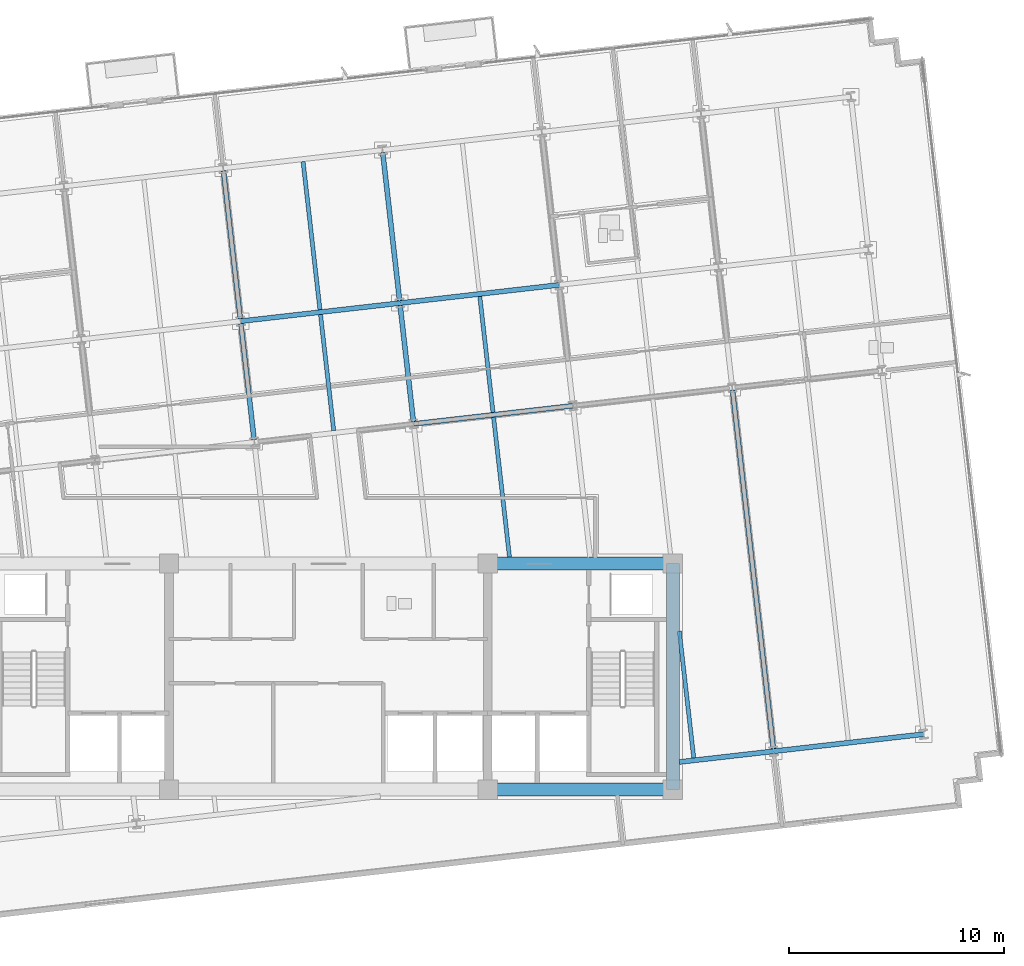
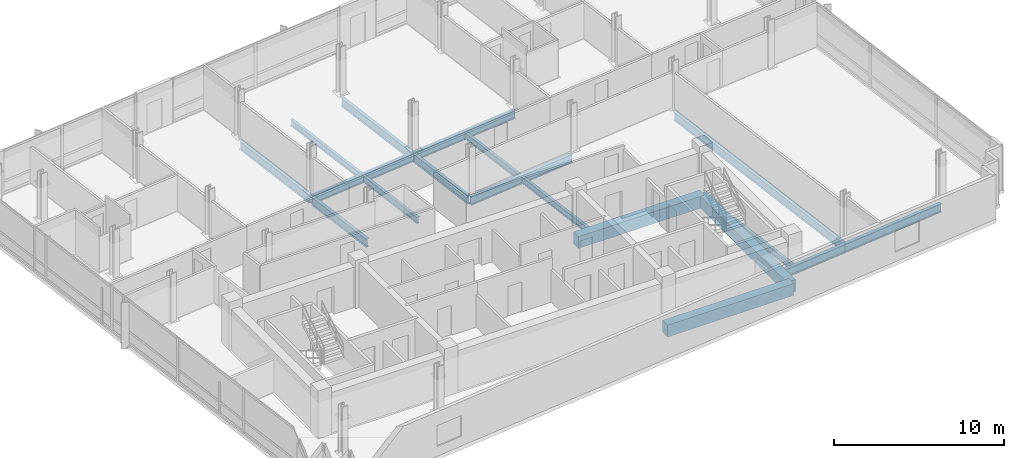
# One storey, part 3 of 15: 18 beams.
"""IFC4 building model written with IfcOpenShell, lengths in metres."""

from ifc_helpers import new_model, si_unit, direction, frame, origin, origin_2d, place, context, subcontext, project, spatial, rectangle, i_section, extrude, material, material_profile, profile_set, type_object, element, save


model = new_model("IFC4")

# Units and contexts
model_context = context("Model", 3, precision=1e-05, world=origin(), true_north=direction((0.0, 1.0)))
body_context = subcontext(model_context, "Body", "Model", "MODEL_VIEW")
ifc_project = project(units=[si_unit("LENGTHUNIT", "METRE"), si_unit("AREAUNIT", "SQUARE_METRE"), si_unit("VOLUMEUNIT", "CUBIC_METRE"), si_unit("PLANEANGLEUNIT", "RADIAN"), si_unit("MASSUNIT", "GRAM", prefix="KILO")], contexts=[model_context])

# Site, building, storey
site_placement = place(None, origin())
site = spatial("IfcSite", under=ifc_project, at=site_placement, CompositionType="ELEMENT")
building_placement = place(site_placement, origin())
building = spatial("IfcBuilding", under=site, at=building_placement, Name="Solmavex Isthmus Hotel", CompositionType="ELEMENT")
storey_placement = place(building_placement, frame((0.0, 0.0, 229.64990234375)))
storey = spatial("IfcBuildingStorey", under=building, at=storey_placement, Name="L62", CompositionType="ELEMENT", Elevation=229.64990234375)

# Beams
ifc_material_1 = material(Name="Steel ASTM A992 Grade 50", Category="steel")
ifc_material_profile_1 = material_profile(ifc_material_1, i_section(OverallWidth=0.1904296875, OverallDepth=0.456787109375, WebThickness=0.009033203125, FlangeThickness=0.014404296875, FilletRadius=0.0126953125, at=origin_2d()), Name="W18X50")
ifc_profile_set_1 = profile_set([ifc_material_profile_1], Name="Steel ASTM A992 Grade 50")
beam_type_1 = type_object("IfcBeamType", Name="BM-BJ-W18X50", PredefinedType="JOIST", material=ifc_profile_set_1)
beam_1_placement = place(storey_placement, frame((0.250244140625, 3.67822265625, -0.48828125), z_axis=(-0.113194691868, 0.993572826587, 0.0), x_axis=(-0.993572826587, -0.113194691868, 0.0)))
element("IfcBeam", 1, at=beam_1_placement, inside=storey, type_object=beam_type_1, Name="Secondary Floor Joist L62-J10", PredefinedType="JOIST", context=body_context, shape_type="SweptSolid", body=[
    extrude(i_section(OverallWidth=0.1904296875, OverallDepth=0.456787109375, WebThickness=0.009033203125, FlangeThickness=0.014404296875, FilletRadius=0.0126953125, at=origin_2d()), origin(), (0.0, 0.0, 1.0), 5.420166015625),
])
beam_2_placement = place(storey_placement, frame((-0.38916015625, 9.289794921875, -0.48828125), z_axis=(-0.113202453846, 0.993571942258, 0.0), x_axis=(-0.993571942258, -0.113202453846, 0.0)))
element("IfcBeam", 2, at=beam_2_placement, inside=storey, type_object=beam_type_1, Name="Secondary Floor Joist L62-J11", PredefinedType="JOIST", context=body_context, shape_type="SweptSolid", body=[
    extrude(i_section(OverallWidth=0.1904296875, OverallDepth=0.456787109375, WebThickness=0.009033203125, FlangeThickness=0.014404296875, FilletRadius=0.0126953125, at=origin_2d()), origin(), (0.0, 0.0, 1.0), 6.9228515625),
])
beam_3_placement = place(storey_placement, frame((8.414306640625, -2.199951171875, -0.48828125), z_axis=(-0.113206345873, 0.993571498813, 0.0), x_axis=(-0.993571498813, -0.113206345873, 0.0)))
element("IfcBeam", 3, at=beam_3_placement, inside=storey, type_object=beam_type_1, Name="Secondary Floor Joist L62-J12", PredefinedType="JOIST", context=body_context, shape_type="SweptSolid", body=[
    extrude(i_section(OverallWidth=0.1904296875, OverallDepth=0.456787109375, WebThickness=0.009033203125, FlangeThickness=0.014404296875, FilletRadius=0.0126953125, at=origin_2d()), origin(), (0.0, 0.0, 1.0), 6.53662109375),
])
beam_4_placement = place(storey_placement, frame((7.6484375, 4.521240234375, -0.48828125), z_axis=(-0.113194691868, 0.993572826587, 0.0), x_axis=(-0.993572826587, -0.113194691868, 0.0)))
element("IfcBeam", 4, at=beam_4_placement, inside=storey, type_object=beam_type_1, Name="Secondary Floor Joist L62-J13", PredefinedType="JOIST", context=body_context, shape_type="SweptSolid", body=[
    extrude(i_section(OverallWidth=0.1904296875, OverallDepth=0.456787109375, WebThickness=0.009033203125, FlangeThickness=0.014404296875, FilletRadius=0.0126953125, at=origin_2d()), origin(), (0.0, 0.0, 1.0), 5.420166015625),
])
beam_5_placement = place(storey_placement, frame((16.970947265625, -11.525390625, -0.48828125), z_axis=(-0.113202687678, 0.993571915617, 0.0), x_axis=(-0.993571915617, -0.113202687678, 0.0)))
element("IfcBeam", 5, at=beam_5_placement, inside=storey, type_object=beam_type_1, Name="Secondary Floor Joist L62-J15", PredefinedType="JOIST", context=body_context, shape_type="SweptSolid", body=[
    extrude(i_section(OverallWidth=0.1904296875, OverallDepth=0.456787109375, WebThickness=0.009033203125, FlangeThickness=0.014404296875, FilletRadius=0.0126953125, at=origin_2d()), origin(), (0.0, 0.0, 1.0), 5.926513671875),
])
ifc_material_profile_2 = material_profile(ifc_material_1, i_section(OverallWidth=0.227783203125, OverallDepth=0.602783203125, WebThickness=0.010498046875, FlangeThickness=0.014892578125, FilletRadius=0.01513671875, at=origin_2d()), Name="W24X68")
ifc_profile_set_2 = profile_set([ifc_material_profile_2], Name="Steel ASTM A992 Grade 50")
beam_type_2 = type_object("IfcBeamType", Name="BM-BM-W24X68", PredefinedType="BEAM", material=ifc_profile_set_2)
for number, where, z_axis, x_axis, name in (
    (6, (3.962158203125, 3.986572265625, -0.561279296875), (0.993574034044, 0.113184092846, 0.0), (-0.113184092846, 0.993574034044, 0.0), "Floor Girder L62-UG09"),
    (7, (-4.0751953125, 8.75537109375, -0.561279296875), (0.993574034044, 0.113184092846, 0.0), (-0.113184092846, 0.993574034044, 0.0), "Floor Girder L62-UG14"),
):
    element("IfcBeam", number, at=place(storey_placement, frame(where, z_axis=z_axis, x_axis=x_axis)), inside=storey, type_object=beam_type_2, Name=name, PredefinedType="BEAM", context=body_context, shape_type="SweptSolid", body=[
        extrude(i_section(OverallWidth=0.227783203125, OverallDepth=0.602783203125, WebThickness=0.010498046875, FlangeThickness=0.014892578125, FilletRadius=0.01513671875, at=origin_2d()), origin(), (0.0, 0.0, 1.0), 7.446044921875),
    ])
beam_6_placement = place(storey_placement, frame((3.322998046875, 9.59814453125, -0.561279296875), z_axis=(0.993569926006, 0.113220148984, 0.0), x_axis=(-0.113220148984, 0.993569926006, 0.0)))
element("IfcBeam", 8, at=beam_6_placement, inside=storey, type_object=beam_type_2, Name="Floor Girder L62-UG15", PredefinedType="BEAM", context=body_context, shape_type="SweptSolid", body=[
    extrude(i_section(OverallWidth=0.227783203125, OverallDepth=0.602783203125, WebThickness=0.010498046875, FlangeThickness=0.014892578125, FilletRadius=0.01513671875, at=origin_2d()), origin(), (0.0, 0.0, 1.0), 7.44580078125),
])
beam_7_placement = place(storey_placement, frame((-3.44873046875, 3.2568359375, -0.561279296875), z_axis=(-0.113194691868, 0.993572826587, 0.0), x_axis=(-0.993572826587, -0.113194691868, 0.0)))
element("IfcBeam", 9, at=beam_7_placement, inside=storey, type_object=beam_type_2, Name="Floor Beam L62-VG32", PredefinedType="BEAM", context=body_context, shape_type="SweptSolid", body=[
    extrude(i_section(OverallWidth=0.227783203125, OverallDepth=0.602783203125, WebThickness=0.010498046875, FlangeThickness=0.014892578125, FilletRadius=0.01513671875, at=origin_2d()), origin(), (0.0, 0.0, 1.0), 5.420166015625),
])
beam_8_placement = place(storey_placement, frame((-4.088134765625, 8.868408203125, -0.561279296875), z_axis=(-0.113202453846, 0.993571942258, 0.0), x_axis=(-0.993571942258, -0.113202453846, 0.0)))
element("IfcBeam", 10, at=beam_8_placement, inside=storey, type_object=beam_type_2, Name="Floor Beam L62-VG33", PredefinedType="BEAM", context=body_context, shape_type="SweptSolid", body=[
    extrude(i_section(OverallWidth=0.227783203125, OverallDepth=0.602783203125, WebThickness=0.010498046875, FlangeThickness=0.014892578125, FilletRadius=0.01513671875, at=origin_2d()), origin(), (0.0, 0.0, 1.0), 6.9228515625),
])
beam_9_placement = place(storey_placement, frame((3.949462890625, 4.099609375, -0.561279296875), z_axis=(-0.113234090386, 0.993568337244, 0.0), x_axis=(-0.993568337244, -0.113234090386, 0.0)))
element("IfcBeam", 11, at=beam_9_placement, inside=storey, type_object=beam_type_2, Name="Floor Beam L62-VG35", PredefinedType="BEAM", context=body_context, shape_type="SweptSolid", body=[
    extrude(i_section(OverallWidth=0.227783203125, OverallDepth=0.602783203125, WebThickness=0.010498046875, FlangeThickness=0.014892578125, FilletRadius=0.01513671875, at=origin_2d()), origin(), (0.0, 0.0, 1.0), 5.42041015625),
])
beam_10_placement = place(storey_placement, frame((3.31005859375, 9.71142578125, -0.561279296875), z_axis=(-0.113202453846, 0.993571942258, 0.0), x_axis=(-0.993571942258, -0.113202453846, 0.0)))
element("IfcBeam", 12, at=beam_10_placement, inside=storey, type_object=beam_type_2, Name="Floor Beam L62-VG36", PredefinedType="BEAM", context=body_context, shape_type="SweptSolid", body=[
    extrude(i_section(OverallWidth=0.227783203125, OverallDepth=0.602783203125, WebThickness=0.010498046875, FlangeThickness=0.014892578125, FilletRadius=0.01513671875, at=origin_2d()), origin(), (0.0, 0.0, 1.0), 6.9228515625),
])
beam_11_placement = place(storey_placement, frame((20.669921875, -11.10400390625, -0.561279296875), z_axis=(-0.113198426291, 0.993572401129, 0.0), x_axis=(-0.993572401129, -0.113198426291, 0.0)))
element("IfcBeam", 13, at=beam_11_placement, inside=storey, type_object=beam_type_2, Name="Floor Beam L62-VG40", PredefinedType="BEAM", context=body_context, shape_type="SweptSolid", body=[
    extrude(i_section(OverallWidth=0.227783203125, OverallDepth=0.602783203125, WebThickness=0.010498046875, FlangeThickness=0.014892578125, FilletRadius=0.01513671875, at=origin_2d()), origin(), (0.0, 0.0, 1.0), 16.77099609375),
])
ifc_material_2 = material(Name="Concrete C50/60", Category="concrete")
ifc_material_profile_3 = material_profile(ifc_material_2, rectangle(XDim=0.60009765625, YDim=0.85009765625, at=origin_2d()), Name="RC600X850")
ifc_profile_set_3 = profile_set([ifc_material_profile_3], Name="Concrete C50/60")
beam_type_3 = type_object("IfcBeamType", Name="BM-CB-600X850", PredefinedType="BEAM", material=ifc_profile_set_3)
for number, where, z_axis, x_axis, name in (
    (14, (7.39990234375, -13.0, -0.684814453125), (1.0, 0.0, 0.0), (0.0, 1.0, 0.0), "Core Coupling Beam L62-CB3"),
    (15, (7.39990234375, -2.5, -0.684814453125), (1.0, 0.0, 0.0), (0.0, 1.0, 0.0), "Core Coupling Beam L62-CB6"),
):
    element("IfcBeam", number, at=place(storey_placement, frame(where, z_axis=z_axis, x_axis=x_axis)), inside=storey, type_object=beam_type_3, Name=name, PredefinedType="BEAM", context=body_context, shape_type="SweptSolid", body=[
        extrude(rectangle(XDim=0.60009765625, YDim=0.85009765625, at=origin_2d()), origin(), (0.0, 0.0, 1.0), 8.60009765625),
    ])
beam_12_placement = place(storey_placement, frame((16.0, -13.0, -0.684814453125), z_axis=(0.0, 1.0, 0.0), x_axis=(-1.0, 0.0, 0.0)))
element("IfcBeam", 16, at=beam_12_placement, inside=storey, type_object=beam_type_3, Name="Core Coupling Beam L62-CB8", PredefinedType="BEAM", context=body_context, shape_type="SweptSolid", body=[
    extrude(rectangle(XDim=0.60009765625, YDim=0.85009765625, at=origin_2d()), origin(), (0.0, 0.0, 1.0), 10.5),
])
ifc_material_profile_4 = material_profile(ifc_material_1, i_section(OverallWidth=0.230224609375, OverallDepth=0.617431640625, WebThickness=0.01318359375, FlangeThickness=0.022216796875, FilletRadius=0.01513671875, at=origin_2d()), Name="W24X94")
ifc_profile_set_4 = profile_set([ifc_material_profile_4], Name="Steel ASTM A992 Grade 50")
beam_type_4 = type_object("IfcBeamType", Name="BM-SP-W24X94", PredefinedType="SPANDREL", material=ifc_profile_set_4)
beam_13_placement = place(storey_placement, frame((16.300048828125, -11.7177734375, -0.568603515625), z_axis=(0.993574880398, 0.113176662976, 0.0), x_axis=(-0.113176662976, 0.993574880398, 0.0)))
element("IfcBeam", 17, at=beam_13_placement, inside=storey, type_object=beam_type_4, Name="Floor Girder L62-UG04", PredefinedType="SPANDREL", context=body_context, shape_type="SweptSolid", body=[
    extrude(i_section(OverallWidth=0.230224609375, OverallDepth=0.617431640625, WebThickness=0.01318359375, FlangeThickness=0.022216796875, FilletRadius=0.01513671875, at=origin_2d()), origin(), (0.0, 0.0, 1.0), 4.411376953125),
])
beam_14_placement = place(storey_placement, frame((20.68310546875, -11.218505859375, -0.568603515625), z_axis=(0.993569675103, 0.113222350774, 0.0), x_axis=(-0.113222350774, 0.993569675103, 0.0)))
element("IfcBeam", 18, at=beam_14_placement, inside=storey, type_object=beam_type_4, Name="Floor Girder L62-UG05", PredefinedType="SPANDREL", context=body_context, shape_type="SweptSolid", body=[
    extrude(i_section(OverallWidth=0.230224609375, OverallDepth=0.617431640625, WebThickness=0.01318359375, FlangeThickness=0.022216796875, FilletRadius=0.01513671875, at=origin_2d()), origin(), (0.0, 0.0, 1.0), 7.008056640625),
])

save(model, "model.ifc")
